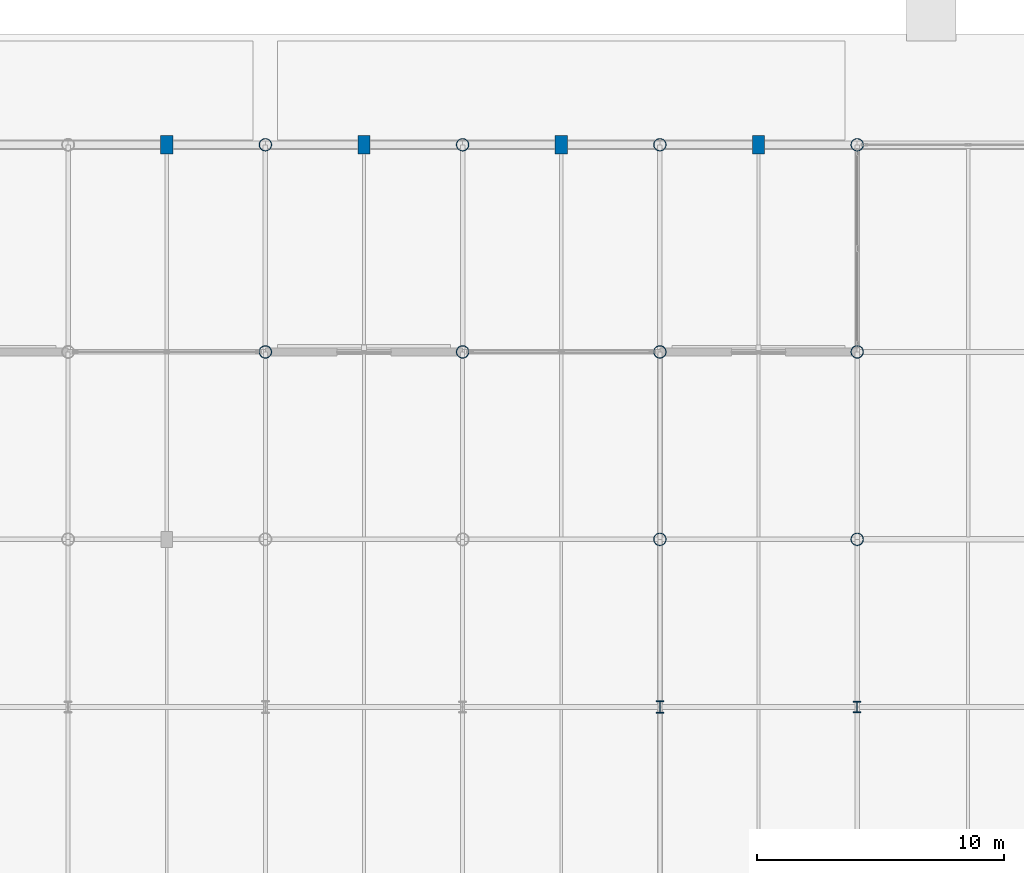
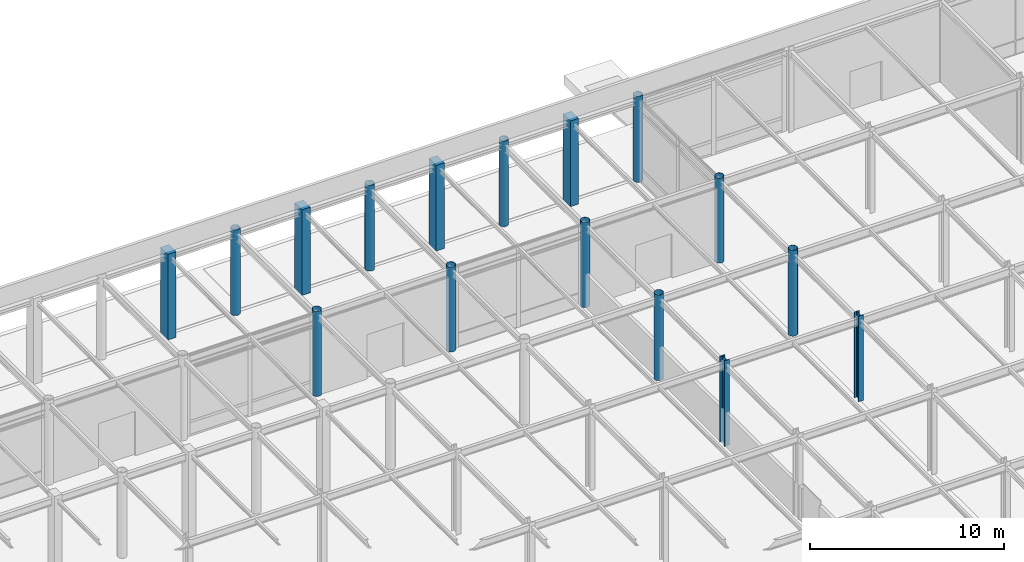
# One storey, part 16 of 89: 16 columns.
"""IFC4 building model written with IfcOpenShell, lengths in metres."""

from ifc_helpers import new_model, si_unit, direction, frame, origin, origin_2d, place, context, subcontext, project, spatial, rectangle, hollow_circle, i_section, extrude, material, material_profile, profile_set, type_object, element, save


model = new_model("IFC4")

# Units and contexts
model_context = context("Model", 3, precision=1e-05, world=origin(), true_north=direction((0.0, 1.0)))
body_context = subcontext(model_context, "Body", "Model", "MODEL_VIEW")
ifc_project = project(units=[si_unit("LENGTHUNIT", "METRE"), si_unit("AREAUNIT", "SQUARE_METRE"), si_unit("VOLUMEUNIT", "CUBIC_METRE"), si_unit("PLANEANGLEUNIT", "RADIAN"), si_unit("MASSUNIT", "GRAM", prefix="KILO")], contexts=[model_context])

# Site, building, storey
site_placement = place(None, origin())
site = spatial("IfcSite", under=ifc_project, at=site_placement, CompositionType="ELEMENT")
building_placement = place(site_placement, origin())
building = spatial("IfcBuilding", under=site, at=building_placement, Name="Shalkamar Park Central Library", CompositionType="ELEMENT")
storey_placement = place(building_placement, origin())
storey = spatial("IfcBuildingStorey", under=building, at=storey_placement, Name="L01", CompositionType="ELEMENT", Elevation=0.0)

# Columns
ifc_material_1 = material(Name="Steel S355", Category="steel")
ifc_material_profile_1 = material_profile(ifc_material_1, i_section(OverallWidth=0.300048828125, OverallDepth=0.449951171875, WebThickness=0.013916015625, FlangeThickness=0.02587890625, FilletRadius=0.027099609375, at=origin_2d()), Name="HEB 450")
ifc_profile_set_1 = profile_set([ifc_material_profile_1], Name="Steel S355")
column_type_1 = type_object("IfcColumnType", Name="Column Steel HEB450", PredefinedType="COLUMN", material=ifc_profile_set_1)
column_1_placement = place(storey_placement, frame((237.0, 331.199951171875, 0.0), z_axis=(0.0, 0.0, 1.0), x_axis=(1.0, 0.0, 0.0)))
element("IfcColumn", 1, at=column_1_placement, inside=storey, type_object=column_type_1, Name="Column 16/N (L01)", PredefinedType="COLUMN", context=body_context, shape_type="SweptSolid", body=[
    extrude(i_section(OverallWidth=0.300048828125, OverallDepth=0.449951171875, WebThickness=0.013916015625, FlangeThickness=0.02587890625, FilletRadius=0.027099609375, at=origin_2d()), origin(), (0.0, 0.0, 1.0), 5.39990234375),
])
ifc_material_profile_2 = material_profile(ifc_material_1, i_section(OverallWidth=0.300048828125, OverallDepth=0.5, WebThickness=0.014404296875, FlangeThickness=0.028076171875, FilletRadius=0.027099609375, at=origin_2d()), Name="HEB 500")
ifc_profile_set_2 = profile_set([ifc_material_profile_2], Name="Steel S355")
column_type_2 = type_object("IfcColumnType", Name="Column Steel HEB500", PredefinedType="COLUMN", material=ifc_profile_set_2)
column_2_placement = place(storey_placement, frame((229.0, 331.199951171875, 0.0), z_axis=(0.0, 0.0, 1.0), x_axis=(1.0, 0.0, 0.0)))
element("IfcColumn", 2, at=column_2_placement, inside=storey, type_object=column_type_2, Name="Column 15/N (L01)", PredefinedType="COLUMN", context=body_context, shape_type="SweptSolid", body=[
    extrude(i_section(OverallWidth=0.300048828125, OverallDepth=0.5, WebThickness=0.014404296875, FlangeThickness=0.028076171875, FilletRadius=0.027099609375, at=origin_2d()), origin(), (0.0, 0.0, 1.0), 5.39990234375),
])
ifc_material_profile_3 = material_profile(ifc_material_1, hollow_circle(Radius=0.25390625, WallThickness=0.01611328125, at=origin_2d()), Name="CHS 508x16")
ifc_profile_set_3 = profile_set([ifc_material_profile_3], Name="Steel S355")
column_type_3 = type_object("IfcColumnType", Name="Column Tube CHS508", PredefinedType="COLUMN", material=ifc_profile_set_3)
column_3_placement = place(storey_placement, frame((213.0, 345.60009765625, 0.0), z_axis=(0.0, 0.0, 1.0), x_axis=(1.0, 0.0, 0.0)))
element("IfcColumn", 3, at=column_3_placement, inside=storey, type_object=column_type_3, Name="Column 13/Q (L01)", PredefinedType="COLUMN", context=body_context, shape_type="SweptSolid", body=[
    extrude(hollow_circle(Radius=0.25390625, WallThickness=0.01611328125, at=origin_2d()), origin(), (0.0, 0.0, 1.0), 5.35009765625),
])
column_4_placement = place(storey_placement, frame((213.0, 354.0, 0.0), z_axis=(0.0, 0.0, 1.0), x_axis=(1.0, 0.0, 0.0)))
element("IfcColumn", 4, at=column_4_placement, inside=storey, type_object=column_type_3, Name="Column 13/R (L01)", PredefinedType="COLUMN", context=body_context, shape_type="SweptSolid", body=[
    extrude(hollow_circle(Radius=0.25390625, WallThickness=0.01611328125, at=origin_2d()), origin(), (0.0, 0.0, 1.0), 5.39990234375),
])
column_5_placement = place(storey_placement, frame((221.0, 345.60009765625, 0.0), z_axis=(0.0, 0.0, 1.0), x_axis=(1.0, 0.0, 0.0)))
element("IfcColumn", 5, at=column_5_placement, inside=storey, type_object=column_type_3, Name="Column 14/Q (L01)", PredefinedType="COLUMN", context=body_context, shape_type="SweptSolid", body=[
    extrude(hollow_circle(Radius=0.25390625, WallThickness=0.01611328125, at=origin_2d()), origin(), (0.0, 0.0, 1.0), 5.35009765625),
])
for number, where, z_axis, x_axis, name in (
    (6, (221.0, 354.0, 0.0), (0.0, 0.0, 1.0), (1.0, 0.0, 0.0), "Column 14/R (L01)"),
    (7, (229.0, 338.0, 0.0), (0.0, 0.0, 1.0), (1.0, 0.0, 0.0), "Column 15/P (L01)"),
):
    element("IfcColumn", number, at=place(storey_placement, frame(where, z_axis=z_axis, x_axis=x_axis)), inside=storey, type_object=column_type_3, Name=name, PredefinedType="COLUMN", context=body_context, shape_type="SweptSolid", body=[
        extrude(hollow_circle(Radius=0.25390625, WallThickness=0.01611328125, at=origin_2d()), origin(), (0.0, 0.0, 1.0), 5.39990234375),
    ])
column_6_placement = place(storey_placement, frame((229.0, 345.60009765625, 0.0), z_axis=(0.0, 0.0, 1.0), x_axis=(1.0, 0.0, 0.0)))
element("IfcColumn", 8, at=column_6_placement, inside=storey, type_object=column_type_3, Name="Column 15/Q (L01)", PredefinedType="COLUMN", context=body_context, shape_type="SweptSolid", body=[
    extrude(hollow_circle(Radius=0.25390625, WallThickness=0.01611328125, at=origin_2d()), origin(), (0.0, 0.0, 1.0), 5.35009765625),
])
for number, where, z_axis, x_axis, name in (
    (9, (229.0, 354.0, 0.0), (0.0, 0.0, 1.0), (1.0, 0.0, 0.0), "Column 15/R (L01)"),
    (10, (237.0, 338.0, 0.0), (0.0, 0.0, 1.0), (1.0, 0.0, 0.0), "Column 16/P (L01)"),
):
    element("IfcColumn", number, at=place(storey_placement, frame(where, z_axis=z_axis, x_axis=x_axis)), inside=storey, type_object=column_type_3, Name=name, PredefinedType="COLUMN", context=body_context, shape_type="SweptSolid", body=[
        extrude(hollow_circle(Radius=0.25390625, WallThickness=0.01611328125, at=origin_2d()), origin(), (0.0, 0.0, 1.0), 5.39990234375),
    ])
column_7_placement = place(storey_placement, frame((237.0, 345.60009765625, 0.0), z_axis=(0.0, 0.0, 1.0), x_axis=(1.0, 0.0, 0.0)))
element("IfcColumn", 11, at=column_7_placement, inside=storey, type_object=column_type_3, Name="Column 16/Q (L01)", PredefinedType="COLUMN", context=body_context, shape_type="SweptSolid", body=[
    extrude(hollow_circle(Radius=0.25390625, WallThickness=0.01611328125, at=origin_2d()), origin(), (0.0, 0.0, 1.0), 5.35009765625),
])
column_8_placement = place(storey_placement, frame((237.0, 354.0, 0.0), z_axis=(0.0, 0.0, 1.0), x_axis=(1.0, 0.0, 0.0)))
element("IfcColumn", 12, at=column_8_placement, inside=storey, type_object=column_type_3, Name="Column 16/R (L01)", PredefinedType="COLUMN", context=body_context, shape_type="SweptSolid", body=[
    extrude(hollow_circle(Radius=0.25390625, WallThickness=0.01611328125, at=origin_2d()), origin(), (0.0, 0.0, 1.0), 5.39990234375),
])
ifc_material_2 = material(Name="Concrete C40/50", Category="concrete")
ifc_material_profile_4 = material_profile(ifc_material_2, rectangle(XDim=0.5, YDim=0.75, at=origin_2d()), Name="RC 500x750")
ifc_profile_set_4 = profile_set([ifc_material_profile_4], Name="Concrete C40/50")
column_type_4 = type_object("IfcColumnType", Name="Engaged Pilaster RC500x750", PredefinedType="PILASTER", material=ifc_profile_set_4)
for number, where, z_axis, x_axis, name in (
    (13, (209.0, 354.0, 0.0), (0.0, 0.0, 1.0), (1.0, 0.0, 0.0), "Park Proscenium Pilaster R-11 (L01)"),
    (14, (217.0, 354.0, 0.0), (0.0, 0.0, 1.0), (1.0, 0.0, 0.0), "Park Proscenium Pilaster R-12 (L01)"),
    (15, (225.0, 354.0, 0.0), (0.0, 0.0, 1.0), (1.0, 0.0, 0.0), "Park Proscenium Pilaster R-13 (L01)"),
    (16, (233.0, 354.0, 0.0), (0.0, 0.0, 1.0), (1.0, 0.0, 0.0), "Park Proscenium Pilaster R-14 (L01)"),
):
    element("IfcColumn", number, at=place(storey_placement, frame(where, z_axis=z_axis, x_axis=x_axis)), inside=storey, type_object=column_type_4, Name=name, PredefinedType="PILASTER", context=body_context, shape_type="SweptSolid", body=[
        extrude(rectangle(XDim=0.5, YDim=0.75, at=origin_2d()), origin(), (0.0, 0.0, 1.0), 5.39990234375),
    ])

save(model, "model.ifc")
